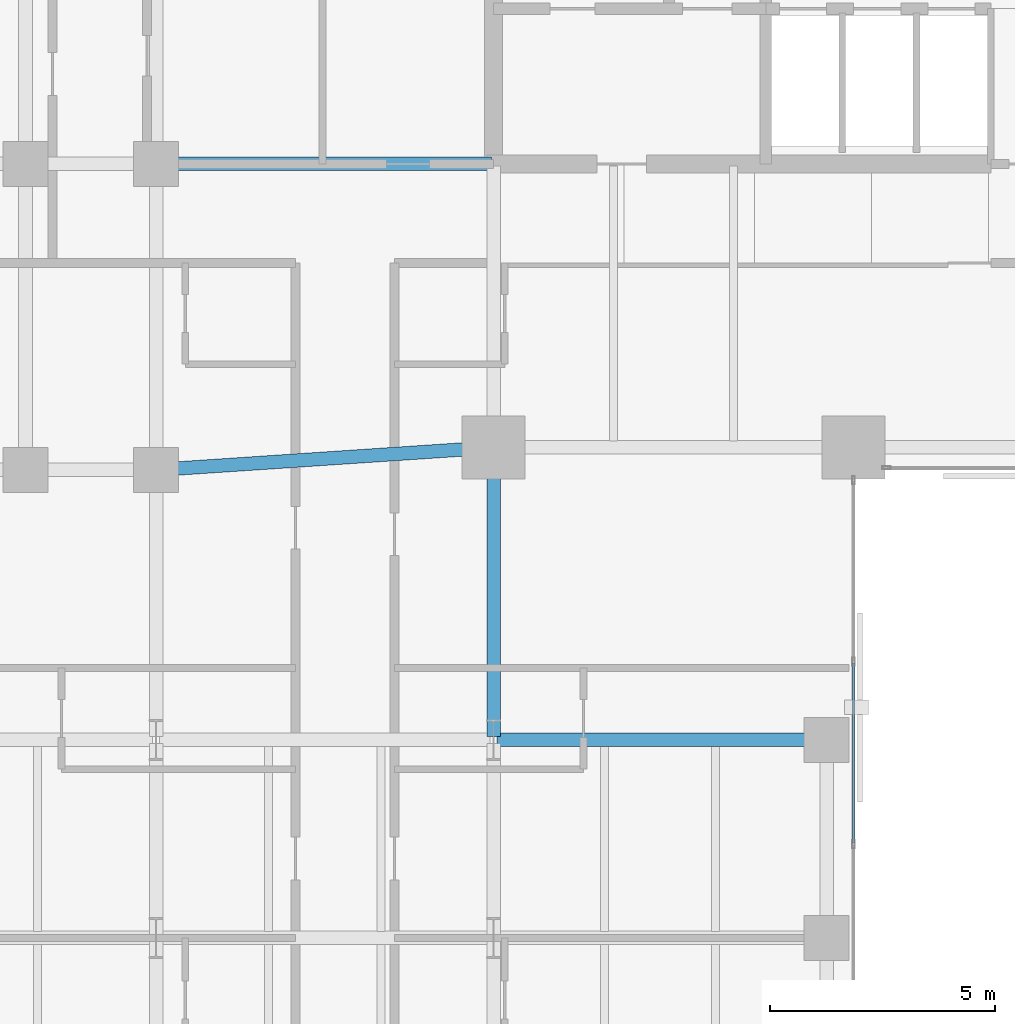
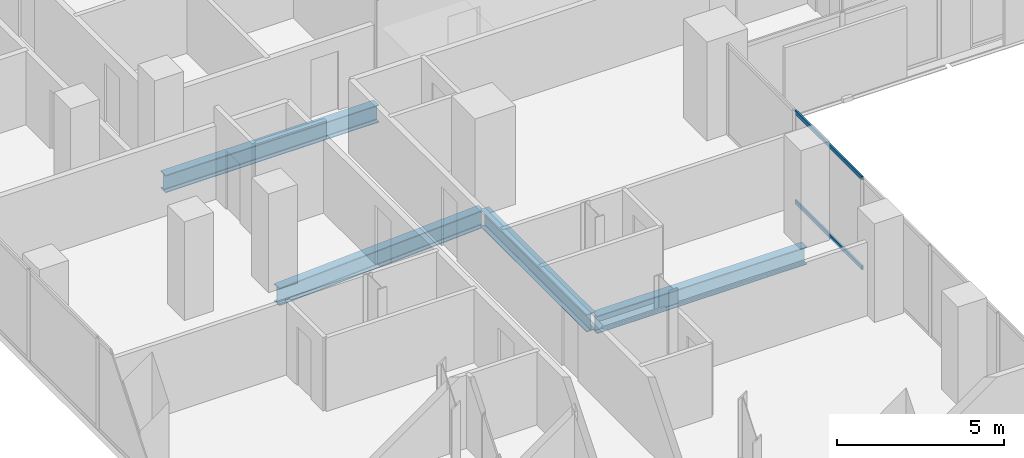
# One storey, part 11 of 32: 4 beams, 2 members, 1 element without a shape of its own.
"""IFC4 building model written with IfcOpenShell, lengths in metres."""

import ifcopenshell
import ifcopenshell.guid

model = None  # the IFC model being written
_history = None  # IfcOwnerHistory: only IFC2X3 demands one
_inside = {}  # id of a spatial element -> (the spatial element, [elements in it])
_under = {}  # id of a project, library or spatial element -> (it, [spatial elements below it])
_declared = {}  # id of a project -> (the project, [libraries it declares])
_typed = {}  # id of a type object -> (the type object, [elements of that type])
_made_of = {}  # id of a material, layer set ... -> (it, [elements and type objects made of it])


def new_model(schema):
    """Start an empty IFC model of exactly this schema.

    Asked for "IFC4X3", IfcOpenShell would pick the latest addendum, in which some entities
    have other attributes; the version numbers below select the first issue.
    IFC2X3 requires an IfcOwnerHistory on every rooted entity: one is made here for all.
    """
    global model, _history
    if schema == "IFC4X3":
        model = ifcopenshell.file(schema_version=(4, 3, 0, 0))
    else:
        model = ifcopenshell.file(schema=schema)
    _inside.clear()
    _under.clear()
    _declared.clear()
    _typed.clear()
    _made_of.clear()
    _history = None
    if model.schema == "IFC2X3":
        org = make("IfcOrganization", Name="unknown")
        user = make(
            "IfcPersonAndOrganization",
            ThePerson=make("IfcPerson", FamilyName="unknown"),
            TheOrganization=org,
        )
        app = make(
            "IfcApplication",
            ApplicationDeveloper=org,
            Version="unknown",
            ApplicationFullName="unknown",
            ApplicationIdentifier="unknown",
        )
        _history = make(
            "IfcOwnerHistory",
            OwningUser=user,
            OwningApplication=app,
            ChangeAction="ADDED",
            CreationDate=0,
        )
    return model


def make(cls, **values):
    """One entity of the class cls with the attributes given. An attribute that is None is left unset."""
    return model.create_entity(
        cls, **{name: value for name, value in values.items() if value is not None}
    )


def rooted(cls, **values):
    """An entity with a GlobalId (a new one), such as an element, a storey or a relation."""
    return make(cls, GlobalId=ifcopenshell.guid.new(), OwnerHistory=_history, **values)


def si_unit(unit_type, name, prefix=None):
    """IfcSIUnit, for example si_unit("LENGTHUNIT", "METRE", prefix="MILLI")."""
    return make("IfcSIUnit", UnitType=unit_type, Prefix=prefix, Name=name)


def assignment(units):
    """IfcUnitAssignment: the units of a project."""
    return None if units is None else make("IfcUnitAssignment", Units=units)


def point(xyz):
    """IfcCartesianPoint."""
    return None if xyz is None else make("IfcCartesianPoint", Coordinates=xyz)


def direction(xyz):
    """IfcDirection."""
    return None if xyz is None else make("IfcDirection", DirectionRatios=xyz)


def frame(location, z_axis=None, x_axis=None):
    """IfcAxis2Placement3D, a coordinate frame: its origin and axes. An axis left out is left unset."""
    return make(
        "IfcAxis2Placement3D",
        Location=point(location),
        Axis=direction(z_axis),
        RefDirection=direction(x_axis),
    )


def frame_2d(location, x_axis=None):
    """IfcAxis2Placement2D, a coordinate frame in the plane: its origin and x axis."""
    return make(
        "IfcAxis2Placement2D", Location=point(location), RefDirection=direction(x_axis)
    )


def origin():
    """The frame at (0, 0, 0) with its axes left unset."""
    return frame((0.0, 0.0, 0.0))


def origin_2d():
    """The frame at (0, 0) in the plane with its x axis left unset."""
    return frame_2d((0.0, 0.0))


def place(relative_to, where):
    """IfcLocalPlacement: puts the frame where relative to a parent placement (None: the world)."""
    return make(
        "IfcLocalPlacement", PlacementRelTo=relative_to, RelativePlacement=where
    )


def context(
    kind, dimensions, precision=None, world=None, true_north=None, identifier=None
):
    """IfcGeometricRepresentationContext, for example the 3D "Model" context."""
    return make(
        "IfcGeometricRepresentationContext",
        ContextIdentifier=identifier,
        ContextType=kind,
        CoordinateSpaceDimension=dimensions,
        Precision=precision,
        WorldCoordinateSystem=world,
        TrueNorth=true_north,
    )


def subcontext(parent, identifier, kind, view, scale=None):
    """IfcGeometricRepresentationSubContext, for example "Body" below "Model"."""
    return make(
        "IfcGeometricRepresentationSubContext",
        ContextIdentifier=identifier,
        ContextType=kind,
        ParentContext=parent,
        TargetScale=scale,
        TargetView=view,
    )


def project(units=None, contexts=None):
    """IfcProject with its units and contexts."""
    return rooted(
        "IfcProject",
        Name="project",
        RepresentationContexts=contexts,
        UnitsInContext=assignment(units),
    )


def spatial(cls, under=None, at=None, **own):
    """A site, building, storey or space (cls), placed at a placement, below another one or the project."""
    s = rooted(cls, ObjectPlacement=at, **own)
    if under is not None:
        _under.setdefault(under.id(), (under, []))[1].append(s)
    return s


def profile(cls, at=None, kind="AREA", **sizes):
    """A parametric profile (cls). Its sizes go by their IFC names, for example OverallWidth=200.0."""
    return make(cls, ProfileType=kind, Position=at, **sizes)


def hollow_rectangle(**sizes):
    """IfcRectangleHollowProfileDef."""
    return profile("IfcRectangleHollowProfileDef", **sizes)


def i_section(**sizes):
    """IfcIShapeProfileDef."""
    return profile("IfcIShapeProfileDef", **sizes)


def extrude(swept, where, along, depth):
    """IfcExtrudedAreaSolid: the profile swept, set in the frame where, extruded along a direction by depth."""
    return make(
        "IfcExtrudedAreaSolid",
        SweptArea=swept,
        Position=where,
        ExtrudedDirection=direction(along),
        Depth=depth,
    )


def shape(context_of_items, identifier, shape_type, items):
    """IfcShapeRepresentation: the items that make up one representation, for example the "Body"."""
    return make(
        "IfcShapeRepresentation",
        ContextOfItems=context_of_items,
        RepresentationIdentifier=identifier,
        RepresentationType=shape_type,
        Items=items,
    )


def material(Name=None, Category=None):
    """IfcMaterial."""
    return make("IfcMaterial", Name=Name, Category=Category)


def layer(
    of_material, thickness, ventilated=None, Name=None, Category=None, Priority=None
):
    """IfcMaterialLayer: one layer of a wall or slab, of a material (None: an air gap)."""
    return make(
        "IfcMaterialLayer",
        Material=of_material,
        LayerThickness=thickness,
        IsVentilated=ventilated,
        Name=Name,
        Category=Category,
        Priority=Priority,
    )


def layer_set(layers, Name=None):
    """IfcMaterialLayerSet."""
    return make("IfcMaterialLayerSet", MaterialLayers=layers, LayerSetName=Name)


def material_profile(
    of_material, cross_section, Name=None, Category=None, Priority=None
):
    """IfcMaterialProfile: a cross section and its material."""
    return make(
        "IfcMaterialProfile",
        Name=Name,
        Material=of_material,
        Profile=cross_section,
        Priority=Priority,
        Category=Category,
    )


def profile_set(profiles, Name=None, composite=None):
    """IfcMaterialProfileSet."""
    return make(
        "IfcMaterialProfileSet",
        Name=Name,
        MaterialProfiles=profiles,
        CompositeProfile=composite,
    )


def made_of(thing, what):
    """Note that an element or type object is made of a material, layer set ...; save() writes the relation."""
    if what is not None:
        _made_of.setdefault(what.id(), (what, []))[1].append(thing)
    return thing


def type_object(cls, material=None, **own):
    """A type object (cls), such as IfcWallType, which elements share."""
    return made_of(rooted(cls, **own), material)


def element(
    cls,
    number,
    at=None,
    inside=None,
    cuts=None,
    type_object=None,
    material=None,
    context=None,
    identifier="Body",
    shape_type=None,
    held_by="IfcProductDefinitionShape",
    body=None,
    shapes=None,
    **own,
):
    """One element of the class cls, such as IfcWall. Its Tag is "e" and its number.

    at: its placement. inside: the storey or other place that contains it. cuts: it is an
    opening in that element (IfcRelVoidsElement). A single representation is given by context,
    identifier, shape_type and body (its items); several are given by shapes. held_by: the class
    of the entity that holds the representations. save() writes the other relations.
    """
    e = rooted(cls, Tag="e%d" % number, ObjectPlacement=at, **own)
    if body is not None:
        shapes = [shape(context, identifier, shape_type, body)]
    if shapes is not None:
        e.Representation = make(held_by, Representations=shapes)
    if inside is not None:
        _inside.setdefault(inside.id(), (inside, []))[1].append(e)
    if cuts is not None:
        rooted(
            "IfcRelVoidsElement", RelatingBuildingElement=cuts, RelatedOpeningElement=e
        )
    if type_object is not None:
        _typed.setdefault(type_object.id(), (type_object, []))[1].append(e)
    return made_of(e, material)


def aggregate(whole, parts):
    """IfcRelAggregates: a whole, such as a stair, and the parts it consists of."""
    return rooted("IfcRelAggregates", RelatingObject=whole, RelatedObjects=parts)


def save(model, path):
    """Write the relations noted so far, then the file.

    IfcRelAggregates (storeys below a building ...), IfcRelContainedInSpatialStructure (elements
    in a storey), IfcRelDefinesByType, IfcRelAssociatesMaterial and IfcRelDeclares: one each for
    every whole, place, type object, material and project.
    """
    for whole, parts in _under.values():
        aggregate(whole, parts)
    for where, things in _inside.values():
        rooted(
            "IfcRelContainedInSpatialStructure",
            RelatedElements=things,
            RelatingStructure=where,
        )
    for kind, things in _typed.values():
        rooted("IfcRelDefinesByType", RelatedObjects=things, RelatingType=kind)
    for what, things in _made_of.values():
        rooted("IfcRelAssociatesMaterial", RelatedObjects=things, RelatingMaterial=what)
    for by, libraries in _declared.values():
        rooted("IfcRelDeclares", RelatingContext=by, RelatedDefinitions=libraries)
    model.write(path)


model = new_model("IFC4")

# Units and contexts
model_context = context("Model", 3, precision=1e-05, world=origin(), true_north=direction((0.0, 1.0)))
body_context = subcontext(model_context, "Body", "Model", "MODEL_VIEW")
ifc_project = project(units=[si_unit("LENGTHUNIT", "METRE"), si_unit("AREAUNIT", "SQUARE_METRE"), si_unit("VOLUMEUNIT", "CUBIC_METRE"), si_unit("PLANEANGLEUNIT", "RADIAN"), si_unit("MASSUNIT", "GRAM", prefix="KILO")], contexts=[model_context])

# Site, building, storey
site_placement = place(None, origin())
site = spatial("IfcSite", under=ifc_project, at=site_placement, CompositionType="ELEMENT")
building_placement = place(site_placement, origin())
building = spatial("IfcBuilding", under=site, at=building_placement, Name="Catumbela Crestline Tower", CompositionType="ELEMENT")
storey_placement = place(building_placement, frame((0.0, 0.0, 29.4)))
storey = spatial("IfcBuildingStorey", under=building, at=storey_placement, Name="L06", CompositionType="ELEMENT", Elevation=29.4)

# Beams
ifc_material_1 = material(Name="Structural steel S355J2", Category="steel")
ifc_material_profile_1 = material_profile(ifc_material_1, i_section(OverallWidth=0.3, OverallDepth=0.64, WebThickness=0.0135, FlangeThickness=0.026, FilletRadius=0.027, at=origin_2d()), Name="HEA 650")
ifc_profile_set_1 = profile_set([ifc_material_profile_1], Name="Structural steel S355J2")
beam_type = type_object("IfcBeamType", Name="BG-HEA650", PredefinedType="BEAM", material=ifc_profile_set_1)
beam_1_placement = place(storey_placement, frame((8.5798, 24.0053, -0.58), z_axis=(0.997784796964, 0.066524423687, 0.0), x_axis=(-0.066524423687, 0.997784796964, 0.0)))
element("IfcBeam", 1, at=beam_1_placement, inside=storey, type_object=beam_type, Name="L06 Beam BM-L06-S03", PredefinedType="BEAM", context=body_context, shape_type="SweptSolid", body=[
    extrude(i_section(OverallWidth=0.3, OverallDepth=0.64, WebThickness=0.0135, FlangeThickness=0.026, FilletRadius=0.027, at=origin_2d()), origin(), (0.0, 0.0, 1.0), 7.3567),
])
beam_2_placement = place(storey_placement, frame((8.58, 30.8, -0.58), z_axis=(1.0, 0.0, 0.0), x_axis=(0.0, 1.0, 0.0)))
element("IfcBeam", 2, at=beam_2_placement, inside=storey, type_object=beam_type, Name="L06 Beam BM-L06-M09", PredefinedType="BEAM", context=body_context, shape_type="SweptSolid", body=[
    extrude(i_section(OverallWidth=0.3, OverallDepth=0.64, WebThickness=0.0135, FlangeThickness=0.026, FilletRadius=0.027, at=origin_2d()), origin(), (0.0, 0.0, 1.0), 7.37),
])
beam_3_placement = place(storey_placement, frame((16.08, 18.0, -0.58), z_axis=(1.0, 0.0, 0.0), x_axis=(0.0, 1.0, 0.0)))
element("IfcBeam", 3, at=beam_3_placement, inside=storey, type_object=beam_type, Name="L06 Beam BM-L06-WEW56", PredefinedType="BEAM", context=body_context, shape_type="SweptSolid", body=[
    extrude(i_section(OverallWidth=0.3, OverallDepth=0.64, WebThickness=0.0135, FlangeThickness=0.026, FilletRadius=0.027, at=origin_2d()), origin(), (0.0, 0.0, 1.0), 7.24),
])
beam_4_placement = place(storey_placement, frame((16.0, 18.08, -0.58), z_axis=(0.0, 1.0, 0.0), x_axis=(-1.0, 0.0, 0.0)))
element("IfcBeam", 4, at=beam_4_placement, inside=storey, type_object=beam_type, Name="L06 Beam BM-L06-WNS67", PredefinedType="BEAM", context=body_context, shape_type="SweptSolid", body=[
    extrude(i_section(OverallWidth=0.3, OverallDepth=0.64, WebThickness=0.0135, FlangeThickness=0.026, FilletRadius=0.027, at=origin_2d()), origin(), (0.0, 0.0, 1.0), 6.34),
])

# Curtain wall, members
ifc_material_2 = material(Name="Aluminium alloy AW-6060-T66", Category="aluminium")
ifc_layer = layer(ifc_material_2, 0.18, Name="Aluminium alloy AW-6060-T66")
ifc_layer_set = layer_set([ifc_layer], Name="Aluminium alloy AW-6060-T66")
curtain_wall_type = type_object("IfcCurtainWallType", Name="CWU-Z1", PredefinedType="USERDEFINED", material=ifc_layer_set)
curtain_wall_placement = place(storey_placement, origin())
curtain_wall = element("IfcCurtainWall", 5, at=curtain_wall_placement, inside=storey, type_object=curtain_wall_type, Name="L06 Unitised Curtain Wall CW-L06-E2S1", ObjectType="UNITISED", PredefinedType="USERDEFINED")
ifc_material_profile_2 = material_profile(ifc_material_2, hollow_rectangle(XDim=0.06, YDim=0.14, WallThickness=0.004, at=origin_2d()), Name="ALU 140x60x4")
ifc_profile_set_2 = profile_set([ifc_material_profile_2], Name="Aluminium alloy AW-6060-T66")
member_type = type_object("IfcMemberType", Name="TRN-140X60", PredefinedType="USERDEFINED", material=ifc_profile_set_2)
member_1_placement = place(storey_placement, frame((24.0, 15.7125, 0.03), z_axis=(0.0, 1.0, 0.0), x_axis=(-1.0, 0.0, 0.0)))
member_1 = element("IfcMember", 6, at=member_1_placement, type_object=member_type, Name="CWU-Z1 transom 4.1", ObjectType="TRANSOM", PredefinedType="USERDEFINED", context=body_context, shape_type="SweptSolid", body=[
    extrude(hollow_rectangle(XDim=0.06, YDim=0.14, WallThickness=0.004, at=origin_2d()), origin(), (0.0, 0.0, 1.0), 3.995),
])
member_2_placement = place(storey_placement, frame((24.0, 15.7125, 3.3), z_axis=(0.0, 1.0, 0.0), x_axis=(-1.0, 0.0, 0.0)))
member_2 = element("IfcMember", 7, at=member_2_placement, type_object=member_type, Name="CWU-Z1 transom 4.2", ObjectType="TRANSOM", PredefinedType="USERDEFINED", context=body_context, shape_type="SweptSolid", body=[
    extrude(hollow_rectangle(XDim=0.06, YDim=0.14, WallThickness=0.004, at=origin_2d()), origin(), (0.0, 0.0, 1.0), 3.995),
])
aggregate(curtain_wall, [member_1, member_2])

save(model, "model.ifc")
